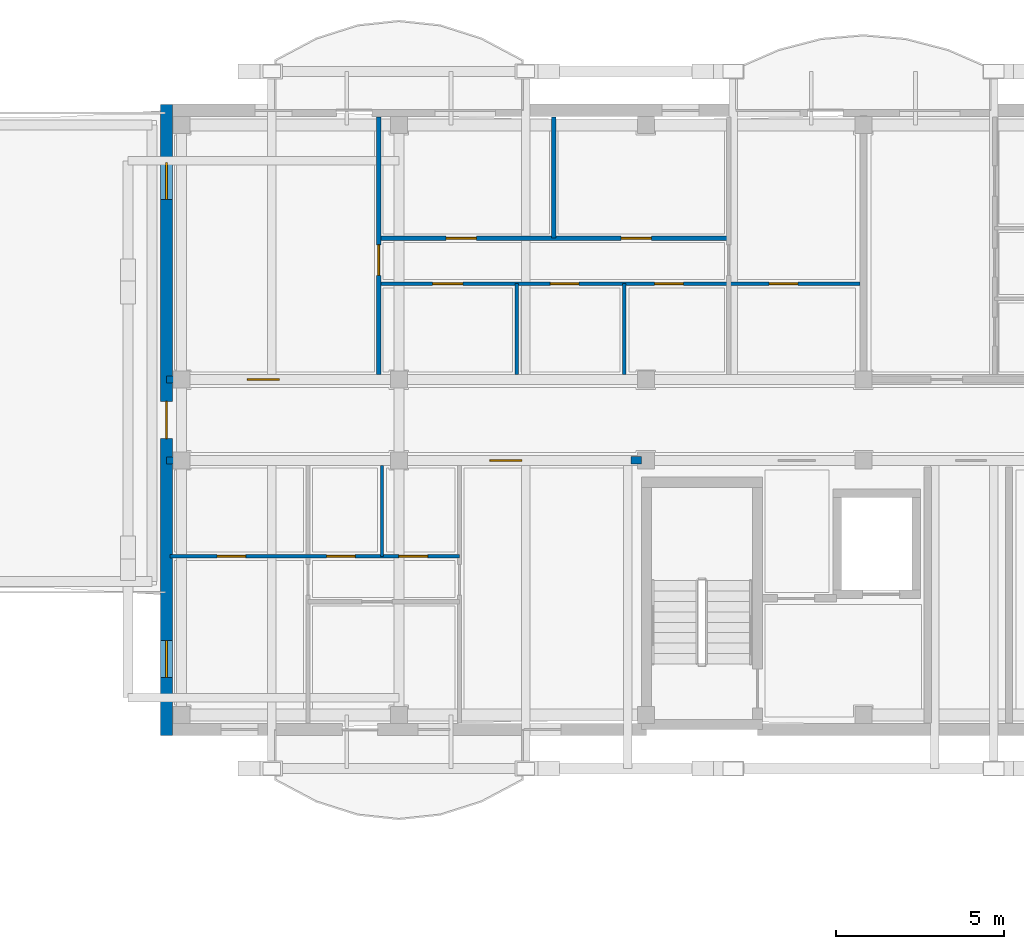
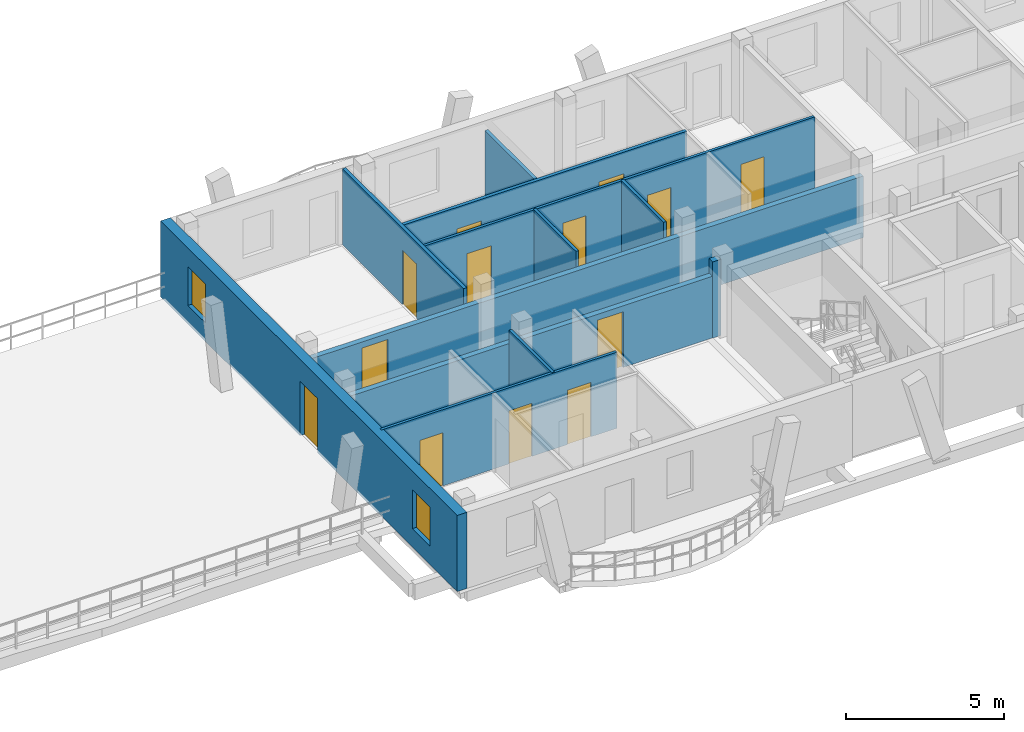
# One storey, part 77 of 109: 13 doors, 12 walls, 2 windows, 15 openings.
"""IFC4 building model written with IfcOpenShell, lengths in metres."""

from ifc_helpers import new_model, si_unit, direction, frame, frame_2d, origin, origin_with_axes, place, context, subcontext, project, spatial, rectangle, extrude, material, layer, layer_set, type_object, element, fill, save


model = new_model("IFC4")

# Units and contexts
model_context = context("Model", 3, precision=1e-05, world=origin(), true_north=direction((0.0, 1.0)))
body_context = subcontext(model_context, "Body", "Model", "MODEL_VIEW")
ifc_project = project(units=[si_unit("LENGTHUNIT", "METRE"), si_unit("AREAUNIT", "SQUARE_METRE"), si_unit("VOLUMEUNIT", "CUBIC_METRE"), si_unit("PLANEANGLEUNIT", "RADIAN"), si_unit("MASSUNIT", "GRAM", prefix="KILO")], contexts=[model_context])

# Site, building, storey
site_placement = place(None, origin())
site = spatial("IfcSite", under=ifc_project, at=site_placement, CompositionType="ELEMENT")
building_placement = place(site_placement, origin())
building = spatial("IfcBuilding", under=site, at=building_placement, Name="Zavelmont Quarter", CompositionType="ELEMENT")
storey_placement = place(building_placement, frame((0.0, 0.0, 8.0)))
storey = spatial("IfcBuildingStorey", under=building, at=storey_placement, Name="L02", CompositionType="ELEMENT", Elevation=8.0)

# Wall, openings, door, windows
ifc_material_1 = material(Name="Natural Belgian limestone", Category="masonry")
ifc_layer_1 = layer(ifc_material_1, 0.360107421875)
ifc_layer_set_1 = layer_set([ifc_layer_1], Name="Natural Belgian limestone")
wall_type_1 = type_object("IfcWallType", Name="EW02", PredefinedType="STANDARD", material=ifc_layer_set_1)
wall_1_placement = place(storey_placement, frame((112.800048828125, 97.419921875, 0.0), z_axis=(0.0, 0.0, 1.0), x_axis=(0.0, 1.0, 0.0)))
wall_1 = element("IfcWall", 1, at=wall_1_placement, inside=storey, type_object=wall_type_1, Name="L02 exterior limestone wall EW02", PredefinedType="STANDARD", context=body_context, shape_type="SweptSolid", body=[
    extrude(rectangle(XDim=18.760009765625, YDim=0.360107421875, at=frame_2d((9.3798828125, 0.0))), origin(), (0.0, 0.0, 1.0), 2.93994140625),
])
opening_1_placement = place(wall_1_placement, frame((8.830078125, 0.0, 0.0)))
opening_1 = element("IfcOpeningElement", 2, at=opening_1_placement, cuts=wall_1, Name="Opening DR04B", PredefinedType="OPENING", context=body_context, shape_type="SweptSolid", body=[
    extrude(rectangle(XDim=1.10009765625, YDim=2.10009765625, at=frame_2d((0.550048828125, 1.050048828125))), frame((0.0, 0.19189453125, 0.0), z_axis=(0.0, -1.0, 0.0), x_axis=(1.0, 0.0, 0.0)), (0.0, 0.0, 1.0), 0.384033203125),
])
opening_2_placement = place(wall_1_placement, frame((1.72998046875, 0.0, 0.719970703125)))
opening_2 = element("IfcOpeningElement", 3, at=opening_2_placement, cuts=wall_1, Name="Opening WN09", PredefinedType="OPENING", context=body_context, shape_type="SweptSolid", body=[
    extrude(rectangle(XDim=1.10009765625, YDim=1.5, at=frame_2d((0.550048828125, 0.75))), frame((0.0, 0.19189453125, 0.0), z_axis=(0.0, -1.0, 0.0), x_axis=(1.0, 0.0, 0.0)), (0.0, 0.0, 1.0), 0.384033203125),
])
opening_3_placement = place(wall_1_placement, frame((15.929931640625, 0.0, 0.719970703125)))
opening_3 = element("IfcOpeningElement", 4, at=opening_3_placement, cuts=wall_1, Name="Opening WN09", PredefinedType="OPENING", context=body_context, shape_type="SweptSolid", body=[
    extrude(rectangle(XDim=1.10009765625, YDim=1.5, at=frame_2d((0.550048828125, 0.75))), frame((0.0, 0.19189453125, 0.0), z_axis=(0.0, -1.0, 0.0), x_axis=(1.0, 0.0, 0.0)), (0.0, 0.0, 1.0), 0.384033203125),
])
ifc_material_2 = material(Name="Thermally broken aluminium and double safety glass", Category="aluminium")
door_type_1 = type_object("IfcDoorType", Name="DR04B", OperationType="NOTDEFINED", PredefinedType="DOOR", material=ifc_material_2)
door_1_placement = place(opening_1_placement, frame((1.10009765625, 0.0, 0.0), z_axis=(0.0, 0.0, 1.0), x_axis=(-1.0, 0.0, 0.0)))
door_1 = element("IfcDoor", 5, at=door_1_placement, inside=storey, type_object=door_type_1, Name="Block C L02 street arcade link door", OperationType="SINGLE_SWING_LEFT", OverallHeight=2.10009765625, OverallWidth=1.10009765625, PredefinedType="DOOR", context=body_context, shape_type="SweptSolid", body=[
    extrude(rectangle(XDim=1.10009765625, YDim=2.10009765625, at=frame_2d((0.550048828125, 1.050048828125))), frame((0.0, 0.02490234375, 0.0), z_axis=(0.0, -1.0, 0.0), x_axis=(1.0, 0.0, 0.0)), (0.0, 0.0, 1.0), 0.050048828125),
])
fill(opening_1, door_1)
ifc_material_3 = material(Name="Double low-E insulated glazing in thermally broken aluminium frame", Category="aluminium")
window_type = type_object("IfcWindowType", Name="WN09", PartitioningType="SINGLE_PANEL", PredefinedType="WINDOW", material=ifc_material_3)
window_1_placement = place(opening_2_placement, origin_with_axes())
window_1 = element("IfcWindow", 6, at=window_1_placement, inside=storey, type_object=window_type, Name="L02 window WN09", OverallHeight=1.5, OverallWidth=1.10009765625, PartitioningType="SINGLE_PANEL", PredefinedType="WINDOW", context=body_context, shape_type="SweptSolid", body=[
    extrude(rectangle(XDim=1.10009765625, YDim=1.5, at=frame_2d((0.550048828125, 0.75))), frame((0.0, 0.030029296875, 0.0), z_axis=(0.0, -1.0, 0.0), x_axis=(1.0, 0.0, 0.0)), (0.0, 0.0, 1.0), 0.06005859375),
])
fill(opening_2, window_1)
window_2_placement = place(opening_3_placement, origin_with_axes())
window_2 = element("IfcWindow", 7, at=window_2_placement, inside=storey, type_object=window_type, Name="L02 window WN09", OverallHeight=1.5, OverallWidth=1.10009765625, PartitioningType="SINGLE_PANEL", PredefinedType="WINDOW", context=body_context, shape_type="SweptSolid", body=[
    extrude(rectangle(XDim=1.10009765625, YDim=1.5, at=frame_2d((0.550048828125, 0.75))), frame((0.0, 0.030029296875, 0.0), z_axis=(0.0, -1.0, 0.0), x_axis=(1.0, 0.0, 0.0)), (0.0, 0.0, 1.0), 0.06005859375),
])
fill(opening_3, window_2)

# Wall, opening, door
ifc_material_4 = material(Name="Calcium-silicate blockwork and acoustic plaster", Category="masonry")
ifc_layer_2 = layer(ifc_material_4, 0.199951171875)
ifc_layer_set_2 = layer_set([ifc_layer_2], Name="Calcium-silicate blockwork and acoustic plaster")
wall_type_2 = type_object("IfcWallType", Name="IW01", PredefinedType="PARTITIONING", material=ifc_layer_set_2)
wall_2_placement = place(storey_placement, frame((112.800048828125, 108.0, 0.0), z_axis=(0.0, 0.0, 1.0), x_axis=(1.0, 0.0, 0.0)))
wall_2 = element("IfcWall", 8, at=wall_2_placement, inside=storey, type_object=wall_type_2, Name="L02 Corridor compartment wall IW01", PredefinedType="PARTITIONING", context=body_context, shape_type="SweptSolid", body=[
    extrude(rectangle(XDim=20.699951171875, YDim=0.199951171875, at=frame_2d((10.35009765625, 0.0))), origin(), (0.0, 0.0, 1.0), 2.3798828125),
])
opening_4_placement = place(wall_2_placement, frame((2.39990234375, 0.0, 0.0)))
opening_4 = element("IfcOpeningElement", 9, at=opening_4_placement, cuts=wall_2, Name="Opening DR02", PredefinedType="OPENING", context=body_context, shape_type="SweptSolid", body=[
    extrude(rectangle(XDim=0.949951171875, YDim=2.14990234375, at=frame_2d((0.47509765625, 1.074951171875))), frame((0.0, 0.11181640625, 0.0), z_axis=(0.0, -1.0, 0.0), x_axis=(1.0, 0.0, 0.0)), (0.0, 0.0, 1.0), 0.223876953125),
])
ifc_material_5 = material(Name="Solid-core oak fire leaf in steel frame", Category="steel")
door_type_2 = type_object("IfcDoorType", Name="DR02", OperationType="NOTDEFINED", PredefinedType="DOOR", material=ifc_material_5)
door_2_placement = place(opening_4_placement, origin_with_axes())
door_2 = element("IfcDoor", 10, at=door_2_placement, inside=storey, type_object=door_type_2, Name="L02 door DR02", OperationType="SINGLE_SWING_LEFT", OverallHeight=2.14990234375, OverallWidth=0.949951171875, PredefinedType="DOOR", context=body_context, shape_type="SweptSolid", body=[
    extrude(rectangle(XDim=0.949951171875, YDim=2.14990234375, at=frame_2d((0.47509765625, 1.074951171875))), frame((0.0, 0.02490234375, 0.0), z_axis=(0.0, -1.0, 0.0), x_axis=(1.0, 0.0, 0.0)), (0.0, 0.0, 1.0), 0.050048828125),
])
fill(opening_4, door_2)

wall_3_placement = place(storey_placement, frame((112.800048828125, 105.60009765625, 0.0), z_axis=(0.0, 0.0, 1.0), x_axis=(1.0, 0.0, 0.0)))
wall_3 = element("IfcWall", 11, at=wall_3_placement, inside=storey, type_object=wall_type_2, Name="L02 Corridor compartment wall IW01", PredefinedType="PARTITIONING", context=body_context, shape_type="SweptSolid", body=[
    extrude(rectangle(XDim=13.800048828125, YDim=0.199951171875, at=frame_2d((6.89990234375, 0.0))), origin(), (0.0, 0.0, 1.0), 2.3798828125),
])
opening_5_placement = place(wall_3_placement, frame((9.60009765625, 0.0, 0.0)))
opening_5 = element("IfcOpeningElement", 12, at=opening_5_placement, cuts=wall_3, Name="Opening DR02", PredefinedType="OPENING", context=body_context, shape_type="SweptSolid", body=[
    extrude(rectangle(XDim=0.949951171875, YDim=2.14990234375, at=frame_2d((0.47509765625, 1.074951171875))), frame((0.0, 0.11181640625, 0.0), z_axis=(0.0, -1.0, 0.0), x_axis=(1.0, 0.0, 0.0)), (0.0, 0.0, 1.0), 0.223876953125),
])
door_3_placement = place(opening_5_placement, frame((0.949951171875, 0.0, 0.0), z_axis=(0.0, 0.0, 1.0), x_axis=(-1.0, 0.0, 0.0)))
door_3 = element("IfcDoor", 13, at=door_3_placement, inside=storey, type_object=door_type_2, Name="L02 door DR02", OperationType="SINGLE_SWING_LEFT", OverallHeight=2.14990234375, OverallWidth=0.949951171875, PredefinedType="DOOR", context=body_context, shape_type="SweptSolid", body=[
    extrude(rectangle(XDim=0.949951171875, YDim=2.14990234375, at=frame_2d((0.47509765625, 1.074951171875))), frame((0.0, 0.02490234375, 0.0), z_axis=(0.0, -1.0, 0.0), x_axis=(1.0, 0.0, 0.0)), (0.0, 0.0, 1.0), 0.050048828125),
])
fill(opening_5, door_3)

# Wall
ifc_material_6 = material(Name="Reinforced masonry fire compartment wall", Category="masonry")
ifc_layer_3 = layer(ifc_material_6, 0.22509765625)
ifc_layer_set_3 = layer_set([ifc_layer_3], Name="Reinforced masonry fire compartment wall")
wall_type_3 = type_object("IfcWallType", Name="IW02", PredefinedType="PARTITIONING", material=ifc_layer_set_3)
wall_4_placement = place(storey_placement, frame((126.60009765625, 105.60009765625, 0.0), z_axis=(0.0, 0.0, 1.0), x_axis=(1.0, 0.0, 0.0)))
element("IfcWall", 14, at=wall_4_placement, inside=storey, type_object=wall_type_3, Name="L02 Core corridor wall IW02", PredefinedType="PARTITIONING", context=body_context, shape_type="SweptSolid", body=[
    extrude(rectangle(XDim=0.2998046875, YDim=0.22509765625, at=frame_2d((0.14990234375, 0.0))), origin(), (0.0, 0.0, 1.0), 2.93994140625),
])

# Wall, opening, door
ifc_material_7 = material(Name="Double gypsum board on acoustic steel stud", Category="steel")
ifc_layer_4 = layer(ifc_material_7, 0.125)
ifc_layer_set_4 = layer_set([ifc_layer_4], Name="Double gypsum board on acoustic steel stud")
wall_type_4 = type_object("IfcWallType", Name="IW03", PredefinedType="PARTITIONING", material=ifc_layer_set_4)
wall_5_placement = place(storey_placement, frame((119.10009765625, 108.14990234375, 0.0), z_axis=(0.0, 0.0, 1.0), x_axis=(0.0, 1.0, 0.0)))
wall_5 = element("IfcWall", 15, at=wall_5_placement, inside=storey, type_object=wall_type_4, Name="L02 Partition IW03", PredefinedType="PARTITIONING", context=body_context, shape_type="SweptSolid", body=[
    extrude(rectangle(XDim=7.650146484375, YDim=0.125, at=frame_2d((3.8251953125, 0.0))), origin(), (0.0, 0.0, 1.0), 2.93994140625),
])
opening_6_placement = place(wall_5_placement, frame((2.949951171875, 0.0, 0.0)))
opening_6 = element("IfcOpeningElement", 16, at=opening_6_placement, cuts=wall_5, Name="Opening DR05", PredefinedType="OPENING", context=body_context, shape_type="SweptSolid", body=[
    extrude(rectangle(XDim=0.89990234375, YDim=2.10009765625, at=frame_2d((0.449951171875, 1.050048828125))), frame((0.0, 0.074462890625, 0.0), z_axis=(0.0, -1.0, 0.0), x_axis=(1.0, 0.0, 0.0)), (0.0, 0.0, 1.0), 0.14892578125),
])
ifc_material_8 = material(Name="Engineered oak flush interior door")
door_type_3 = type_object("IfcDoorType", Name="DR05", OperationType="NOTDEFINED", PredefinedType="DOOR", material=ifc_material_8)
door_4_placement = place(opening_6_placement, origin_with_axes())
door_4 = element("IfcDoor", 17, at=door_4_placement, inside=storey, type_object=door_type_3, Name="L02 door DR05", OperationType="SINGLE_SWING_LEFT", OverallHeight=2.10009765625, OverallWidth=0.89990234375, PredefinedType="DOOR", context=body_context, shape_type="SweptSolid", body=[
    extrude(rectangle(XDim=0.89990234375, YDim=2.10009765625, at=frame_2d((0.449951171875, 1.050048828125))), frame((0.0, 0.02490234375, 0.0), z_axis=(0.0, -1.0, 0.0), x_axis=(1.0, 0.0, 0.0)), (0.0, 0.0, 1.0), 0.050048828125),
])
fill(opening_6, door_4)

# Wall
wall_6_placement = place(storey_placement, frame((124.300048828125, 112.199951171875, 0.0), z_axis=(0.0, 0.0, 1.0), x_axis=(0.0, 1.0, 0.0)))
element("IfcWall", 18, at=wall_6_placement, inside=storey, type_object=wall_type_4, Name="L02 Partition IW03", PredefinedType="PARTITIONING", context=body_context, shape_type="SweptSolid", body=[
    extrude(rectangle(XDim=3.60009765625, YDim=0.125, at=frame_2d((1.800048828125, 0.0))), origin(), (0.0, 0.0, 1.0), 2.590087890625),
])

# Wall, openings, doors
wall_7_placement = place(storey_placement, frame((119.10009765625, 112.199951171875, 0.0), z_axis=(0.0, 0.0, 1.0), x_axis=(1.0, 0.0, 0.0)))
wall_7 = element("IfcWall", 19, at=wall_7_placement, inside=storey, type_object=wall_type_4, Name="L02 Partition IW03", PredefinedType="PARTITIONING", context=body_context, shape_type="SweptSolid", body=[
    extrude(rectangle(XDim=10.39990234375, YDim=0.125, at=frame_2d((5.199951171875, 0.0))), origin(), (0.0, 0.0, 1.0), 2.93994140625),
])
opening_7_placement = place(wall_7_placement, frame((2.0, 0.0, 0.0)))
opening_7 = element("IfcOpeningElement", 20, at=opening_7_placement, cuts=wall_7, Name="Opening DR05", PredefinedType="OPENING", context=body_context, shape_type="SweptSolid", body=[
    extrude(rectangle(XDim=0.89990234375, YDim=2.10009765625, at=frame_2d((0.449951171875, 1.050048828125))), frame((0.0, 0.074462890625, 0.0), z_axis=(0.0, -1.0, 0.0), x_axis=(1.0, 0.0, 0.0)), (0.0, 0.0, 1.0), 0.14892578125),
])
opening_8_placement = place(wall_7_placement, frame((7.199951171875, 0.0, 0.0)))
opening_8 = element("IfcOpeningElement", 21, at=opening_8_placement, cuts=wall_7, Name="Opening DR05", PredefinedType="OPENING", context=body_context, shape_type="SweptSolid", body=[
    extrude(rectangle(XDim=0.89990234375, YDim=2.10009765625, at=frame_2d((0.449951171875, 1.050048828125))), frame((0.0, 0.074462890625, 0.0), z_axis=(0.0, -1.0, 0.0), x_axis=(1.0, 0.0, 0.0)), (0.0, 0.0, 1.0), 0.14892578125),
])
door_5_placement = place(opening_7_placement, origin_with_axes())
door_5 = element("IfcDoor", 22, at=door_5_placement, inside=storey, type_object=door_type_3, Name="L02 door DR05", OperationType="SINGLE_SWING_LEFT", OverallHeight=2.10009765625, OverallWidth=0.89990234375, PredefinedType="DOOR", context=body_context, shape_type="SweptSolid", body=[
    extrude(rectangle(XDim=0.89990234375, YDim=2.10009765625, at=frame_2d((0.449951171875, 1.050048828125))), frame((0.0, 0.02490234375, 0.0), z_axis=(0.0, -1.0, 0.0), x_axis=(1.0, 0.0, 0.0)), (0.0, 0.0, 1.0), 0.050048828125),
])
fill(opening_7, door_5)
door_6_placement = place(opening_8_placement, frame((0.89990234375, 0.0, 0.0), z_axis=(0.0, 0.0, 1.0), x_axis=(-1.0, 0.0, 0.0)))
door_6 = element("IfcDoor", 23, at=door_6_placement, inside=storey, type_object=door_type_3, Name="L02 door DR05", OperationType="SINGLE_SWING_RIGHT", OverallHeight=2.10009765625, OverallWidth=0.89990234375, PredefinedType="DOOR", context=body_context, shape_type="SweptSolid", body=[
    extrude(rectangle(XDim=0.89990234375, YDim=2.10009765625, at=frame_2d((0.449951171875, 1.050048828125))), frame((0.0, 0.02490234375, 0.0), z_axis=(0.0, -1.0, 0.0), x_axis=(1.0, 0.0, 0.0)), (0.0, 0.0, 1.0), 0.050048828125),
])
fill(opening_8, door_6)

# Walls
ifc_material_9 = material(Name="Moisture-resistant gypsum board on steel stud", Category="steel")
ifc_layer_5 = layer(ifc_material_9, 0.10009765625)
ifc_layer_set_5 = layer_set([ifc_layer_5], Name="Moisture-resistant gypsum board on steel stud")
wall_type_5 = type_object("IfcWallType", Name="IW04", PredefinedType="PARTITIONING", material=ifc_layer_set_5)
for number, where, z_axis, x_axis, name in (
    (24, (123.199951171875, 108.14990234375, 0.0), (0.0, 0.0, 1.0), (0.0, 1.0, 0.0), "L02 Partition IW04"),
    (25, (126.39990234375, 108.14990234375, 0.0), (0.0, 0.0, 1.0), (0.0, 1.0, 0.0), "L02 Partition IW04"),
):
    element("IfcWall", number, at=place(storey_placement, frame(where, z_axis=z_axis, x_axis=x_axis)), inside=storey, type_object=wall_type_5, Name=name, PredefinedType="PARTITIONING", context=body_context, shape_type="SweptSolid", body=[
        extrude(rectangle(XDim=2.7001953125, YDim=0.10009765625, at=frame_2d((1.35009765625, 0.0))), origin(), (0.0, 0.0, 1.0), 2.93994140625),
    ])

# Wall, openings, doors
wall_8_placement = place(storey_placement, frame((119.10009765625, 110.85009765625, 0.0), z_axis=(0.0, 0.0, 1.0), x_axis=(1.0, 0.0, 0.0)))
wall_8 = element("IfcWall", 26, at=wall_8_placement, inside=storey, type_object=wall_type_5, Name="L02 Partition IW04", PredefinedType="PARTITIONING", context=body_context, shape_type="SweptSolid", body=[
    extrude(rectangle(XDim=14.2998046875, YDim=0.10009765625, at=frame_2d((7.14990234375, 0.0))), origin(), (0.0, 0.0, 1.0), 2.93994140625),
])
opening_9_placement = place(wall_8_placement, frame((1.60009765625, 0.0, 0.0)))
opening_9 = element("IfcOpeningElement", 27, at=opening_9_placement, cuts=wall_8, Name="Opening DR05", PredefinedType="OPENING", context=body_context, shape_type="SweptSolid", body=[
    extrude(rectangle(XDim=0.89990234375, YDim=2.10009765625, at=frame_2d((0.449951171875, 1.050048828125))), frame((0.0, 0.06201171875, 0.0), z_axis=(0.0, -1.0, 0.0), x_axis=(1.0, 0.0, 0.0)), (0.0, 0.0, 1.0), 0.1240234375),
])
opening_10_placement = place(wall_8_placement, frame((5.10009765625, 0.0, 0.0)))
opening_10 = element("IfcOpeningElement", 28, at=opening_10_placement, cuts=wall_8, Name="Opening DR06", PredefinedType="OPENING", context=body_context, shape_type="SweptSolid", body=[
    extrude(rectangle(XDim=0.85009765625, YDim=2.050048828125, at=frame_2d((0.425048828125, 1.02490234375))), frame((0.0, 0.06201171875, 0.0), z_axis=(0.0, -1.0, 0.0), x_axis=(1.0, 0.0, 0.0)), (0.0, 0.0, 1.0), 0.1240234375),
])
opening_11_placement = place(wall_8_placement, frame((8.199951171875, 0.0, 0.0)))
opening_11 = element("IfcOpeningElement", 29, at=opening_11_placement, cuts=wall_8, Name="Opening DR06", PredefinedType="OPENING", context=body_context, shape_type="SweptSolid", body=[
    extrude(rectangle(XDim=0.85009765625, YDim=2.050048828125, at=frame_2d((0.425048828125, 1.02490234375))), frame((0.0, 0.06201171875, 0.0), z_axis=(0.0, -1.0, 0.0), x_axis=(1.0, 0.0, 0.0)), (0.0, 0.0, 1.0), 0.1240234375),
])
opening_12_placement = place(wall_8_placement, frame((11.60009765625, 0.0, 0.0)))
opening_12 = element("IfcOpeningElement", 30, at=opening_12_placement, cuts=wall_8, Name="Opening DR06", PredefinedType="OPENING", context=body_context, shape_type="SweptSolid", body=[
    extrude(rectangle(XDim=0.85009765625, YDim=2.050048828125, at=frame_2d((0.425048828125, 1.02490234375))), frame((0.0, 0.06201171875, 0.0), z_axis=(0.0, -1.0, 0.0), x_axis=(1.0, 0.0, 0.0)), (0.0, 0.0, 1.0), 0.1240234375),
])
door_7_placement = place(opening_9_placement, origin_with_axes())
door_7 = element("IfcDoor", 31, at=door_7_placement, inside=storey, type_object=door_type_3, Name="L02 door DR05", OperationType="SINGLE_SWING_LEFT", OverallHeight=2.10009765625, OverallWidth=0.89990234375, PredefinedType="DOOR", context=body_context, shape_type="SweptSolid", body=[
    extrude(rectangle(XDim=0.89990234375, YDim=2.10009765625, at=frame_2d((0.449951171875, 1.050048828125))), frame((0.0, 0.02490234375, 0.0), z_axis=(0.0, -1.0, 0.0), x_axis=(1.0, 0.0, 0.0)), (0.0, 0.0, 1.0), 0.050048828125),
])
fill(opening_9, door_7)
ifc_material_10 = material(Name="Moisture-resistant painted wet-room door")
door_type_4 = type_object("IfcDoorType", Name="DR06", OperationType="NOTDEFINED", PredefinedType="DOOR", material=ifc_material_10)
door_8_placement = place(opening_10_placement, frame((0.85009765625, 0.0, 0.0), z_axis=(0.0, 0.0, 1.0), x_axis=(-1.0, 0.0, 0.0)))
door_8 = element("IfcDoor", 32, at=door_8_placement, inside=storey, type_object=door_type_4, Name="L02 door DR06", OperationType="SINGLE_SWING_RIGHT", OverallHeight=2.050048828125, OverallWidth=0.85009765625, PredefinedType="DOOR", context=body_context, shape_type="SweptSolid", body=[
    extrude(rectangle(XDim=0.85009765625, YDim=2.050048828125, at=frame_2d((0.425048828125, 1.02490234375))), frame((0.0, 0.02490234375, 0.0), z_axis=(0.0, -1.0, 0.0), x_axis=(1.0, 0.0, 0.0)), (0.0, 0.0, 1.0), 0.050048828125),
])
fill(opening_10, door_8)
door_9_placement = place(opening_11_placement, origin_with_axes())
door_9 = element("IfcDoor", 33, at=door_9_placement, inside=storey, type_object=door_type_4, Name="L02 door DR06", OperationType="SINGLE_SWING_LEFT", OverallHeight=2.050048828125, OverallWidth=0.85009765625, PredefinedType="DOOR", context=body_context, shape_type="SweptSolid", body=[
    extrude(rectangle(XDim=0.85009765625, YDim=2.050048828125, at=frame_2d((0.425048828125, 1.02490234375))), frame((0.0, 0.02490234375, 0.0), z_axis=(0.0, -1.0, 0.0), x_axis=(1.0, 0.0, 0.0)), (0.0, 0.0, 1.0), 0.050048828125),
])
fill(opening_11, door_9)
door_10_placement = place(opening_12_placement, frame((0.85009765625, 0.0, 0.0), z_axis=(0.0, 0.0, 1.0), x_axis=(-1.0, 0.0, 0.0)))
door_10 = element("IfcDoor", 34, at=door_10_placement, inside=storey, type_object=door_type_4, Name="L02 door DR06", OperationType="SINGLE_SWING_RIGHT", OverallHeight=2.050048828125, OverallWidth=0.85009765625, PredefinedType="DOOR", context=body_context, shape_type="SweptSolid", body=[
    extrude(rectangle(XDim=0.85009765625, YDim=2.050048828125, at=frame_2d((0.425048828125, 1.02490234375))), frame((0.0, 0.02490234375, 0.0), z_axis=(0.0, -1.0, 0.0), x_axis=(1.0, 0.0, 0.0)), (0.0, 0.0, 1.0), 0.050048828125),
])
fill(opening_12, door_10)

# Wall
wall_9_placement = place(storey_placement, frame((119.199951171875, 105.449951171875, 0.0), z_axis=(0.0, 0.0, 1.0), x_axis=(0.0, -1.0, 0.0)))
element("IfcWall", 35, at=wall_9_placement, inside=storey, type_object=wall_type_5, Name="L02 Partition IW04", PredefinedType="PARTITIONING", context=body_context, shape_type="SweptSolid", body=[
    extrude(rectangle(XDim=2.699951171875, YDim=0.10009765625, at=frame_2d((1.35009765625, 0.0))), origin(), (0.0, 0.0, 1.0), 2.93994140625),
])

# Wall, openings, doors
wall_10_placement = place(storey_placement, frame((112.89990234375, 102.75, 0.0), z_axis=(0.0, 0.0, 1.0), x_axis=(1.0, 0.0, 0.0)))
wall_10 = element("IfcWall", 36, at=wall_10_placement, inside=storey, type_object=wall_type_5, Name="L02 Partition IW04", PredefinedType="PARTITIONING", context=body_context, shape_type="SweptSolid", body=[
    extrude(rectangle(XDim=8.60009765625, YDim=0.10009765625, at=frame_2d((4.300048828125, 0.0))), origin(), (0.0, 0.0, 1.0), 2.93994140625),
])
opening_13_placement = place(wall_10_placement, frame((1.39990234375, 0.0, 0.0)))
opening_13 = element("IfcOpeningElement", 37, at=opening_13_placement, cuts=wall_10, Name="Opening DR06", PredefinedType="OPENING", context=body_context, shape_type="SweptSolid", body=[
    extrude(rectangle(XDim=0.85009765625, YDim=2.050048828125, at=frame_2d((0.425048828125, 1.02490234375))), frame((0.0, 0.06201171875, 0.0), z_axis=(0.0, -1.0, 0.0), x_axis=(1.0, 0.0, 0.0)), (0.0, 0.0, 1.0), 0.1240234375),
])
opening_14_placement = place(wall_10_placement, frame((4.64990234375, 0.0, 0.0)))
opening_14 = element("IfcOpeningElement", 38, at=opening_14_placement, cuts=wall_10, Name="Opening DR06", PredefinedType="OPENING", context=body_context, shape_type="SweptSolid", body=[
    extrude(rectangle(XDim=0.85009765625, YDim=2.050048828125, at=frame_2d((0.425048828125, 1.02490234375))), frame((0.0, 0.06201171875, 0.0), z_axis=(0.0, -1.0, 0.0), x_axis=(1.0, 0.0, 0.0)), (0.0, 0.0, 1.0), 0.1240234375),
])
opening_15_placement = place(wall_10_placement, frame((6.800048828125, 0.0, 0.0)))
opening_15 = element("IfcOpeningElement", 39, at=opening_15_placement, cuts=wall_10, Name="Opening DR16", PredefinedType="OPENING", context=body_context, shape_type="SweptSolid", body=[
    extrude(rectangle(XDim=0.85009765625, YDim=2.10009765625, at=frame_2d((0.425048828125, 1.050048828125))), frame((0.0, 0.06201171875, 0.0), z_axis=(0.0, -1.0, 0.0), x_axis=(1.0, 0.0, 0.0)), (0.0, 0.0, 1.0), 0.1240234375),
])
door_11_placement = place(opening_13_placement, origin_with_axes())
door_11 = element("IfcDoor", 40, at=door_11_placement, inside=storey, type_object=door_type_4, Name="L02 door DR06", OperationType="SINGLE_SWING_LEFT", OverallHeight=2.050048828125, OverallWidth=0.85009765625, PredefinedType="DOOR", context=body_context, shape_type="SweptSolid", body=[
    extrude(rectangle(XDim=0.85009765625, YDim=2.050048828125, at=frame_2d((0.425048828125, 1.02490234375))), frame((0.0, 0.02490234375, 0.0), z_axis=(0.0, -1.0, 0.0), x_axis=(1.0, 0.0, 0.0)), (0.0, 0.0, 1.0), 0.050048828125),
])
fill(opening_13, door_11)
door_12_placement = place(opening_14_placement, frame((0.85009765625, 0.0, 0.0), z_axis=(0.0, 0.0, 1.0), x_axis=(-1.0, 0.0, 0.0)))
door_12 = element("IfcDoor", 41, at=door_12_placement, inside=storey, type_object=door_type_4, Name="L02 door DR06", OperationType="SINGLE_SWING_RIGHT", OverallHeight=2.050048828125, OverallWidth=0.85009765625, PredefinedType="DOOR", context=body_context, shape_type="SweptSolid", body=[
    extrude(rectangle(XDim=0.85009765625, YDim=2.050048828125, at=frame_2d((0.425048828125, 1.02490234375))), frame((0.0, 0.02490234375, 0.0), z_axis=(0.0, -1.0, 0.0), x_axis=(1.0, 0.0, 0.0)), (0.0, 0.0, 1.0), 0.050048828125),
])
fill(opening_14, door_12)
door_type_5 = type_object("IfcDoorType", Name="DR16", OperationType="NOTDEFINED", PredefinedType="DOOR", material=ifc_material_8)
door_13_placement = place(opening_15_placement, origin_with_axes())
door_13 = element("IfcDoor", 42, at=door_13_placement, inside=storey, type_object=door_type_5, Name="L02 door DR16", OperationType="SINGLE_SWING_LEFT", OverallHeight=2.10009765625, OverallWidth=0.85009765625, PredefinedType="DOOR", context=body_context, shape_type="SweptSolid", body=[
    extrude(rectangle(XDim=0.85009765625, YDim=2.10009765625, at=frame_2d((0.425048828125, 1.050048828125))), frame((0.0, 0.02490234375, 0.0), z_axis=(0.0, -1.0, 0.0), x_axis=(1.0, 0.0, 0.0)), (0.0, 0.0, 1.0), 0.050048828125),
])
fill(opening_15, door_13)

save(model, "model.ifc")
